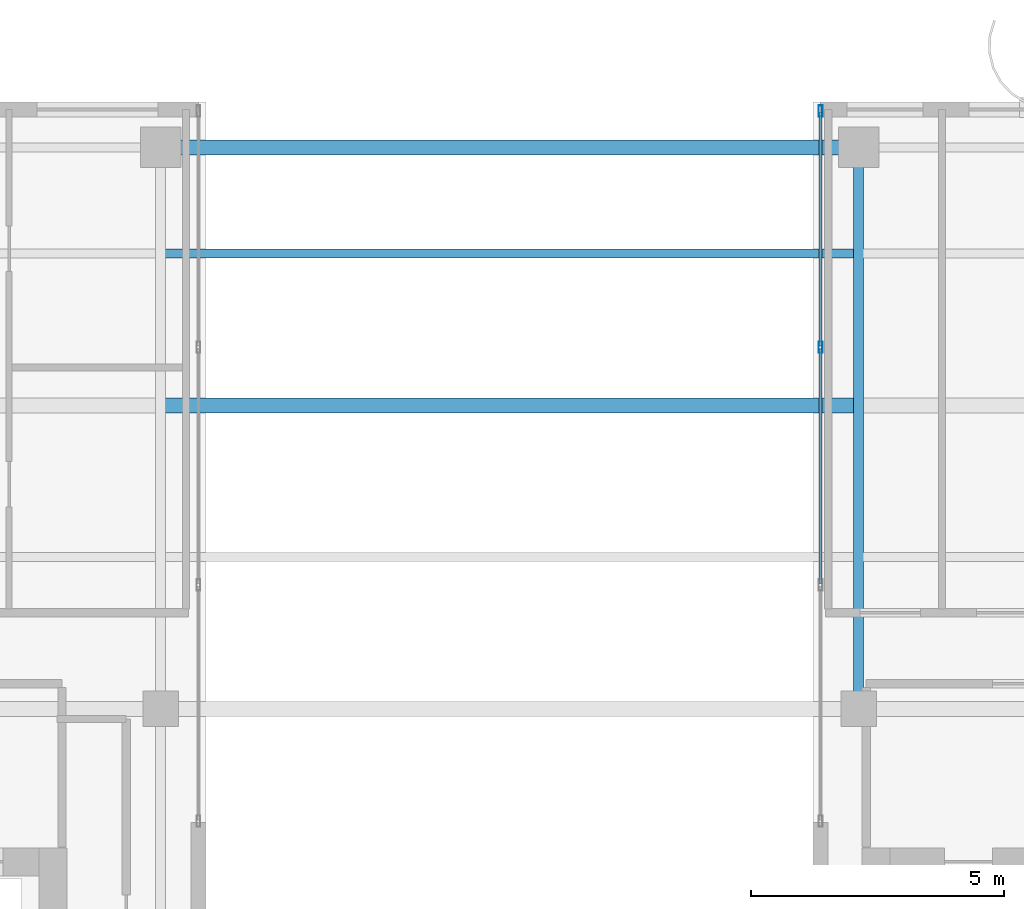
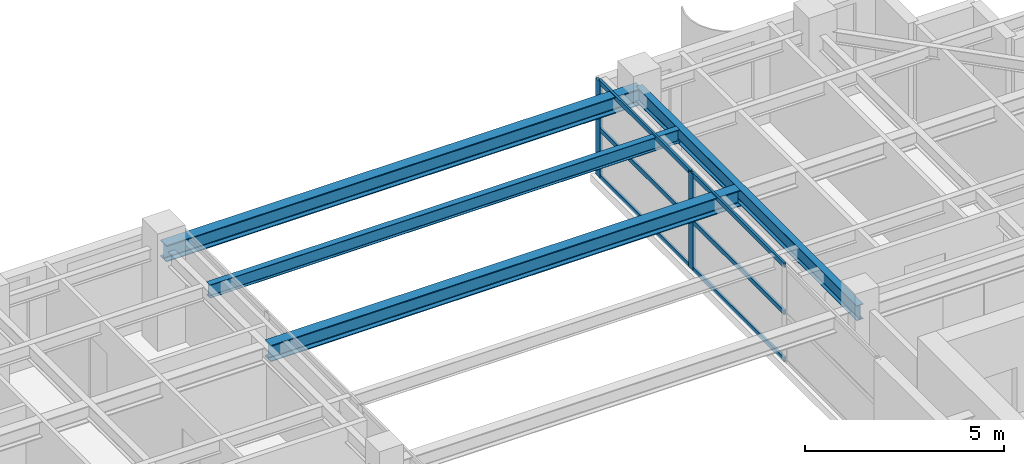
# One storey, part 17 of 25: 8 members, 4 beams, 1 element without a shape of its own.
"""IFC4 building model written with IfcOpenShell, lengths in metres."""

from ifc_helpers import new_model, si_unit, direction, frame, origin, origin_2d, place, context, subcontext, project, spatial, hollow_rectangle, i_section, extrude, source, transform, mapped, material, layer, layer_set, material_profile, profile_set, type_object, element, aggregate, save


model = new_model("IFC4")

# Units and contexts
model_context = context("Model", 3, precision=1e-05, world=origin(), true_north=direction((0.0, 1.0)))
body_context = subcontext(model_context, "Body", "Model", "MODEL_VIEW")
ifc_project = project(units=[si_unit("LENGTHUNIT", "METRE"), si_unit("AREAUNIT", "SQUARE_METRE"), si_unit("VOLUMEUNIT", "CUBIC_METRE"), si_unit("PLANEANGLEUNIT", "RADIAN"), si_unit("MASSUNIT", "GRAM", prefix="KILO")], contexts=[model_context])

# Site, building, storey
site_placement = place(None, origin())
site = spatial("IfcSite", under=ifc_project, at=site_placement, CompositionType="ELEMENT")
building_placement = place(site_placement, origin())
building = spatial("IfcBuilding", under=site, at=building_placement, Name="Khoralis Quay Care Tower", CompositionType="ELEMENT")
storey_placement = place(building_placement, frame((0.0, 0.0, 263.699951171875)))
storey = spatial("IfcBuildingStorey", under=building, at=storey_placement, Name="L69", CompositionType="ELEMENT", Elevation=263.699951171875)

# Beams
ifc_material_1 = material(Name="Steel S355", Category="steel")
ifc_material_profile_1 = material_profile(ifc_material_1, i_section(OverallWidth=0.19189453125, OverallDepth=0.462890625, WebThickness=0.010498046875, FlangeThickness=0.017578125, FilletRadius=0.014892578125, at=origin_2d()), Name="Steel S355")
ifc_profile_set_1 = profile_set([ifc_material_profile_1], Name="Steel S355")
beam_type_1 = type_object("IfcBeamType", Name="BM-W460X89", PredefinedType="BEAM", material=ifc_profile_set_1)
shared_shape_1 = source(origin(), body_context, "Body", "SweptSolid", [
    extrude(i_section(OverallWidth=0.19189453125, OverallDepth=0.462890625, WebThickness=0.010498046875, FlangeThickness=0.017578125, FilletRadius=0.014892578125, at=origin_2d()), origin(), (0.0, 0.0, 1.0), 11.10009765625),
])
beam_1_placement = place(storey_placement, frame((30.89990234375, 30.0, 2.718505859375), z_axis=(0.0, 1.0, 0.0), x_axis=(-1.0, 0.0, 0.0)))
element("IfcBeam", 1, at=beam_1_placement, inside=storey, type_object=beam_type_1, Name="BM-TGYN-L69-309", PredefinedType="BEAM", context=body_context, shape_type="MappedRepresentation", body=[
    mapped(shared_shape_1, transform((0.0, 0.0, 0.0), scale=1.0)),
])
ifc_material_profile_2 = material_profile(ifc_material_1, i_section(OverallWidth=0.300048828125, OverallDepth=0.5, WebThickness=0.014404296875, FlangeThickness=0.028076171875, FilletRadius=0.027099609375, at=origin_2d()), Name="Steel S355")
ifc_profile_set_2 = profile_set([ifc_material_profile_2], Name="Steel S355")
beam_type_2 = type_object("IfcBeamType", Name="BM-HEB500", PredefinedType="BEAM", material=ifc_profile_set_2)
shared_shape_2 = source(origin(), body_context, "Body", "SweptSolid", [
    extrude(i_section(OverallWidth=0.300048828125, OverallDepth=0.5, WebThickness=0.014404296875, FlangeThickness=0.028076171875, FilletRadius=0.027099609375, at=origin_2d()), origin(), (0.0, 0.0, 1.0), 13.7998046875),
])
beam_2_placement = place(storey_placement, frame((17.10009765625, 41.10009765625, 2.699951171875), z_axis=(1.0, 0.0, 0.0), x_axis=(0.0, 1.0, 0.0)))
element("IfcBeam", 2, at=beam_2_placement, inside=storey, type_object=beam_type_2, Name="BM-TSP-L69-05", PredefinedType="BEAM", context=body_context, shape_type="MappedRepresentation", body=[
    mapped(shared_shape_2, transform((0.0, 0.0, 0.0), scale=1.0)),
])
shared_shape_3 = source(origin(), body_context, "Body", "SweptSolid", [
    extrude(i_section(OverallWidth=0.300048828125, OverallDepth=0.5, WebThickness=0.014404296875, FlangeThickness=0.028076171875, FilletRadius=0.027099609375, at=origin_2d()), origin(), (0.0, 0.0, 1.0), 13.6318359375),
])
beam_3_placement = place(storey_placement, frame((17.18408203125, 36.0, 2.699951171875), z_axis=(1.0, 0.0, 0.0), x_axis=(0.0, 1.0, 0.0)))
element("IfcBeam", 3, at=beam_3_placement, inside=storey, type_object=beam_type_2, Name="BM-TGCC-L69-360", PredefinedType="BEAM", context=body_context, shape_type="MappedRepresentation", body=[
    mapped(shared_shape_3, transform((0.0, 0.0, 0.0), scale=1.0)),
])
ifc_material_profile_3 = material_profile(ifc_material_1, i_section(OverallWidth=0.177978515625, OverallDepth=0.406982421875, WebThickness=0.0078125, FlangeThickness=0.0126953125, FilletRadius=0.012939453125, at=origin_2d()), Name="Steel S355")
ifc_profile_set_3 = profile_set([ifc_material_profile_3], Name="Steel S355")
beam_type_3 = type_object("IfcBeamType", Name="BM-W410X60", PredefinedType="JOIST", material=ifc_profile_set_3)
shared_shape_4 = source(origin(), body_context, "Body", "SweptSolid", [
    extrude(i_section(OverallWidth=0.177978515625, OverallDepth=0.406982421875, WebThickness=0.0078125, FlangeThickness=0.0126953125, FilletRadius=0.012939453125, at=origin_2d()), origin(), (0.0, 0.0, 1.0), 13.6318359375),
])
beam_4_placement = place(storey_placement, frame((17.18408203125, 39.0, 2.74658203125), z_axis=(1.0, 0.0, 0.0), x_axis=(0.0, 1.0, 0.0)))
element("IfcBeam", 4, at=beam_4_placement, inside=storey, type_object=beam_type_3, Name="BM-TJS-L69-27", PredefinedType="JOIST", context=body_context, shape_type="MappedRepresentation", body=[
    mapped(shared_shape_4, transform((0.0, 0.0, 0.0), scale=1.0)),
])

# Curtain wall, members
ifc_material_2 = material(Name="Pale anodised aluminium", Category="aluminium")
ifc_layer = layer(ifc_material_2, 0.18994140625)
ifc_layer_set = layer_set([ifc_layer], Name="Pale anodised aluminium")
curtain_wall_type = type_object("IfcCurtainWallType", Name="CW-SYS-PORTAL", PredefinedType="NOTDEFINED", material=ifc_layer_set)
curtain_wall_placement = place(storey_placement, origin())
curtain_wall = element("IfcCurtainWall", 5, at=curtain_wall_placement, inside=storey, type_object=curtain_wall_type, Name="L69 Unitised Curtain Wall CW-VP-L69-P2-N", PredefinedType="NOTDEFINED")
ifc_material_profile_4 = material_profile(ifc_material_2, hollow_rectangle(XDim=0.06005859375, YDim=0.139892578125, WallThickness=0.00390625, at=origin_2d()), Name="Pale anodised aluminium")
ifc_profile_set_4 = profile_set([ifc_material_profile_4], Name="Pale anodised aluminium")
member_type_1 = type_object("IfcMemberType", Name="CW-TRN-140", PredefinedType="USERDEFINED", material=ifc_profile_set_4)
shared_shape_5 = source(origin(), body_context, "Body", "SweptSolid", [
    extrude(hollow_rectangle(XDim=0.06005859375, YDim=0.139892578125, WallThickness=0.00390625, at=origin_2d()), origin(), (0.0, 0.0, 1.0), 4.610107421875),
])
member_1_placement = place(storey_placement, frame((30.14990234375, 37.179931640625, 0.030029296875), z_axis=(0.0, 1.0, 0.0), x_axis=(-1.0, 0.0, 0.0)))
member_1 = element("IfcMember", 6, at=member_1_placement, type_object=member_type_1, Name="CW4 transom 3.1", ObjectType="TRANSOM", PredefinedType="USERDEFINED", context=body_context, shape_type="MappedRepresentation", body=[
    mapped(shared_shape_5, transform((0.0, 0.0, 0.0), scale=1.0)),
])
member_2_placement = place(storey_placement, frame((30.14990234375, 37.179931640625, 1.47509765625), z_axis=(0.0, 1.0, 0.0), x_axis=(-1.0, 0.0, 0.0)))
member_2 = element("IfcMember", 7, at=member_2_placement, type_object=member_type_1, Name="CW4 transom 3.2", ObjectType="TRANSOM", PredefinedType="USERDEFINED", context=body_context, shape_type="MappedRepresentation", body=[
    mapped(shared_shape_5, transform((0.0, 0.0, 0.0), scale=1.0)),
])
member_3_placement = place(storey_placement, frame((30.14990234375, 37.179931640625, 2.920166015625), z_axis=(0.0, 1.0, 0.0), x_axis=(-1.0, 0.0, 0.0)))
member_3 = element("IfcMember", 8, at=member_3_placement, type_object=member_type_1, Name="CW4 transom 3.3", ObjectType="TRANSOM", PredefinedType="USERDEFINED", context=body_context, shape_type="MappedRepresentation", body=[
    mapped(shared_shape_5, transform((0.0, 0.0, 0.0), scale=1.0)),
])
shared_shape_6 = source(origin(), body_context, "Body", "SweptSolid", [
    extrude(hollow_rectangle(XDim=0.06005859375, YDim=0.139892578125, WallThickness=0.00390625, at=origin_2d()), origin(), (0.0, 0.0, 1.0), 4.64013671875),
])
member_4_placement = place(storey_placement, frame((30.14990234375, 32.47998046875, 0.030029296875), z_axis=(0.0, 1.0, 0.0), x_axis=(-1.0, 0.0, 0.0)))
member_4 = element("IfcMember", 9, at=member_4_placement, type_object=member_type_1, Name="CW4 transom 2.1", ObjectType="TRANSOM", PredefinedType="USERDEFINED", context=body_context, shape_type="MappedRepresentation", body=[
    mapped(shared_shape_6, transform((0.0, 0.0, 0.0), scale=1.0)),
])
member_5_placement = place(storey_placement, frame((30.14990234375, 32.47998046875, 1.47509765625), z_axis=(0.0, 1.0, 0.0), x_axis=(-1.0, 0.0, 0.0)))
member_5 = element("IfcMember", 10, at=member_5_placement, type_object=member_type_1, Name="CW4 transom 2.2", ObjectType="TRANSOM", PredefinedType="USERDEFINED", context=body_context, shape_type="MappedRepresentation", body=[
    mapped(shared_shape_6, transform((0.0, 0.0, 0.0), scale=1.0)),
])
member_6_placement = place(storey_placement, frame((30.14990234375, 32.47998046875, 2.920166015625), z_axis=(0.0, 1.0, 0.0), x_axis=(-1.0, 0.0, 0.0)))
member_6 = element("IfcMember", 11, at=member_6_placement, type_object=member_type_1, Name="CW4 transom 2.3", ObjectType="TRANSOM", PredefinedType="USERDEFINED", context=body_context, shape_type="MappedRepresentation", body=[
    mapped(shared_shape_6, transform((0.0, 0.0, 0.0), scale=1.0)),
])
ifc_material_profile_5 = material_profile(ifc_material_2, hollow_rectangle(XDim=0.074951171875, YDim=0.219970703125, WallThickness=0.00390625, at=origin_2d()), Name="Pale anodised aluminium")
ifc_profile_set_5 = profile_set([ifc_material_profile_5], Name="Pale anodised aluminium")
member_type_2 = type_object("IfcMemberType", Name="CW-MUL-220", PredefinedType="MULLION", material=ifc_profile_set_5)
shared_shape_7 = source(origin(), body_context, "Body", "SweptSolid", [
    extrude(hollow_rectangle(XDim=0.074951171875, YDim=0.219970703125, WallThickness=0.00390625, at=origin_2d()), origin(), (0.0, 0.0, 1.0), 2.949951171875),
])
member_7_placement = place(storey_placement, frame((30.14990234375, 37.14990234375, 0.0), z_axis=(0.0, 0.0, 1.0), x_axis=(-1.0, 0.0, 0.0)))
member_7 = element("IfcMember", 12, at=member_7_placement, type_object=member_type_2, Name="CW4 mullion 3", PredefinedType="MULLION", context=body_context, shape_type="MappedRepresentation", body=[
    mapped(shared_shape_7, transform((0.0, 0.0, 0.0), scale=1.0)),
])
member_8_placement = place(storey_placement, frame((30.14990234375, 41.820068359375, 0.0), z_axis=(0.0, 0.0, 1.0), x_axis=(-1.0, 0.0, 0.0)))
member_8 = element("IfcMember", 13, at=member_8_placement, type_object=member_type_2, Name="CW4 mullion 4", PredefinedType="MULLION", context=body_context, shape_type="MappedRepresentation", body=[
    mapped(shared_shape_7, transform((0.0, 0.0, 0.0), scale=1.0)),
])
aggregate(curtain_wall, [member_7, member_8, member_4, member_5, member_6, member_1, member_2, member_3])

save(model, "model.ifc")
